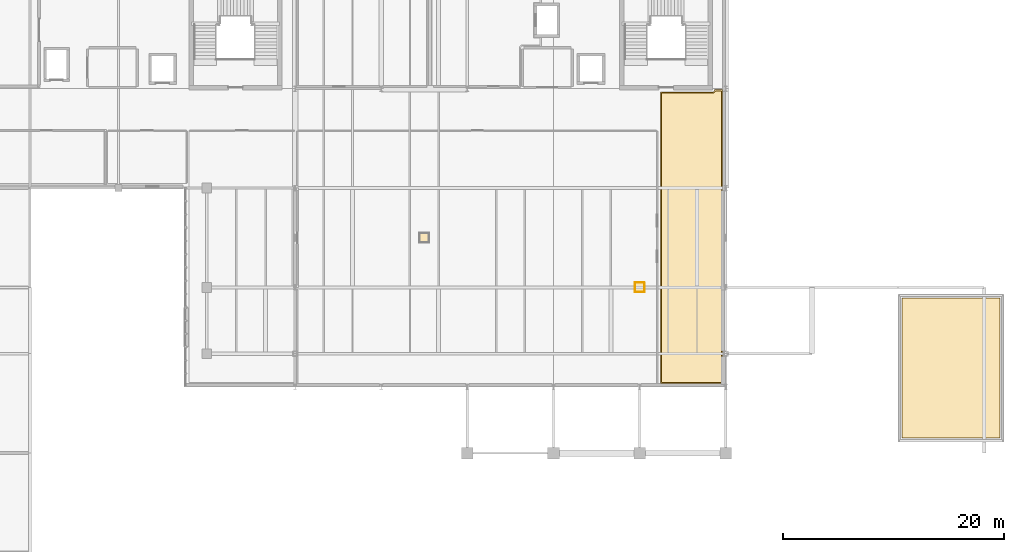
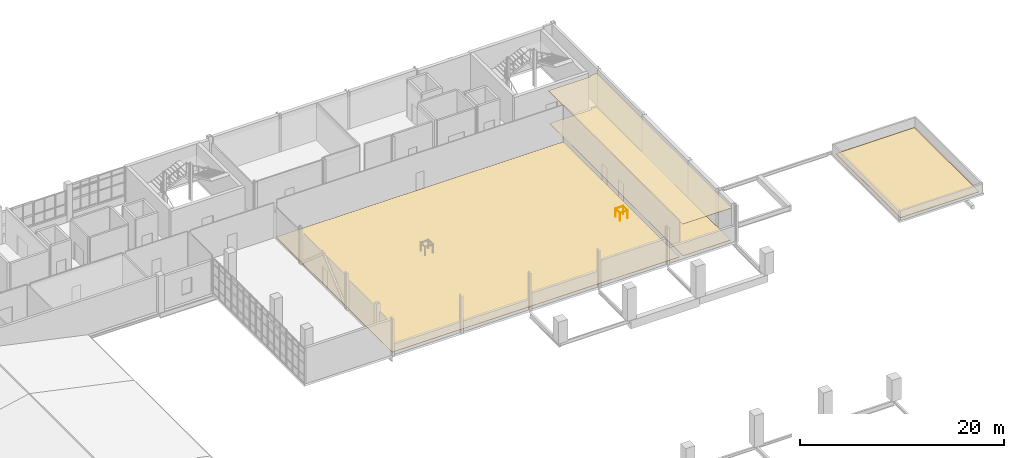
# One storey, part 37 of 38: 4 coverings, 4 railings.
"""IFC4 building model written with IfcOpenShell, lengths in metres."""

from ifc_helpers import new_model, si_unit, derived_unit, direction, frame, origin, origin_2d, place, context, subcontext, project, spatial, polyline, circle, outline, extrude, material, layer, layer_set, type_object, element, save


model = new_model("IFC4")

# Units and contexts
model_context = context("Model", 3, precision=1e-05, world=origin(), true_north=direction((0.0, 1.0)))
body_context = subcontext(model_context, "Body", "Model", "MODEL_VIEW")
ifc_project = project(units=[si_unit("LENGTHUNIT", "METRE"), si_unit("AREAUNIT", "SQUARE_METRE"), si_unit("VOLUMEUNIT", "CUBIC_METRE"), si_unit("PLANEANGLEUNIT", "RADIAN"), si_unit("MASSUNIT", "GRAM", prefix="KILO"), derived_unit("THERMALTRANSMITTANCEUNIT", [(si_unit("POWERUNIT", "WATT"), 1), (si_unit("LENGTHUNIT", "METRE"), -2), (si_unit("THERMODYNAMICTEMPERATUREUNIT", "KELVIN"), -1)])], contexts=[model_context])

# Site, building, storey
site_placement = place(None, origin())
site = spatial("IfcSite", under=ifc_project, at=site_placement, CompositionType="ELEMENT")
building_placement = place(site_placement, origin())
building = spatial("IfcBuilding", under=site, at=building_placement, Name="Nallur Shell Playhouse", CompositionType="ELEMENT")
storey_placement = place(building_placement, frame((0.0, 0.0, 24.300048828125)))
storey = spatial("IfcBuildingStorey", under=building, at=storey_placement, Name="L06", CompositionType="ELEMENT", Elevation=24.300048828125)

# Coverings
ifc_material_1 = material(Name="Mineral-Fibre High-NRC Suspended Ceiling Tile")
ifc_layer_1 = layer(ifc_material_1, 0.030029296875)
ifc_layer_set_1 = layer_set([ifc_layer_1], Name="Mineral-Fibre High-NRC Suspended Ceiling Tile")
covering_type_1 = type_object("IfcCoveringType", Name="CV-CEIL-AC2", PredefinedType="CEILING", material=ifc_layer_set_1)
covering_1_placement = place(storey_placement, frame((0.0, 0.0, 3.919921875)))
element("IfcCovering", 1, at=covering_1_placement, inside=storey, type_object=covering_type_1, Name="Fly Tower & Stage Smoke Extract AHU Plant suspended acoustic ceiling", PredefinedType="CEILING", context=body_context, shape_type="SweptSolid", body=[
    extrude(outline(polyline([(101.816650390625, 73.710693359375), (101.821044921875, 73.711181640625), (101.8349609375, 73.71337890625), (101.839111328125, 73.714111328125), (101.8525390625, 73.717529296875), (101.856689453125, 73.718994140625), (101.87109375, 73.723876953125), (101.875, 73.7255859375), (101.8876953125, 73.731689453125), (101.8916015625, 73.733642578125), (101.903564453125, 73.74072265625), (101.9072265625, 73.7431640625), (101.918701171875, 73.751953125), (101.92236328125, 73.7548828125), (101.932861328125, 73.76416015625), (101.935791015625, 73.76708984375), (101.9453125, 73.777587890625), (101.947998046875, 73.78125), (101.956787109375, 73.792724609375), (101.959228515625, 73.79638671875), (101.96630859375, 73.808349609375), (101.968505859375, 73.812255859375), (101.974609375, 73.824951171875), (101.976318359375, 73.829345703125), (102.005615234375, 73.909912109375), (102.7099609375, 73.909912109375), (102.7099609375, 47.2900390625), (97.090087890625, 47.2900390625), (97.090087890625, 73.7099609375), (101.798828125, 73.7099609375), (101.801025390625, 73.7099609375), (101.816650390625, 73.710693359375)])), origin(), (0.0, 0.0, 1.0), 0.030029296875),
])
ifc_material_2 = material(Name="Polished Chettinad Oxide & White Marble Terrazzo Flooring", Category="masonry")
ifc_layer_2 = layer(ifc_material_2, 0.050048828125)
ifc_layer_set_2 = layer_set([ifc_layer_2], Name="Polished Chettinad Oxide & White Marble Terrazzo Flooring")
covering_type_2 = type_object("IfcCoveringType", Name="CV-FLOR-TERRAZZO", PredefinedType="FLOORING", material=ifc_layer_set_2)
covering_2_placement = place(storey_placement, origin())
element("IfcCovering", 2, at=covering_2_placement, inside=storey, type_object=covering_type_2, Name="Fly Tower & Stage Smoke Extract AHU Plant floor finish", PredefinedType="FLOORING", context=body_context, shape_type="SweptSolid", body=[
    extrude(outline(polyline([(101.824462890625, 73.60107421875), (101.834228515625, 73.60205078125), (101.853759765625, 73.60498046875), (101.86328125, 73.606689453125), (101.88232421875, 73.611572265625), (101.8916015625, 73.614501953125), (101.91015625, 73.62109375), (101.919189453125, 73.624755859375), (101.93701171875, 73.63330078125), (101.94580078125, 73.6376953125), (101.96240234375, 73.64794921875), (101.970703125, 73.6533203125), (101.986328125, 73.6650390625), (101.993896484375, 73.67138671875), (102.008544921875, 73.6845703125), (102.015380859375, 73.69140625), (102.02880859375, 73.7060546875), (102.034912109375, 73.713623046875), (102.046630859375, 73.729248046875), (102.052001953125, 73.737548828125), (102.062255859375, 73.75439453125), (102.06689453125, 73.762939453125), (102.0751953125, 73.78076171875), (102.078857421875, 73.789794921875), (102.08251953125, 73.800048828125), (102.60009765625, 73.800048828125), (102.60009765625, 47.39990234375), (97.199951171875, 47.39990234375), (97.199951171875, 73.60009765625), (101.800048828125, 73.60009765625), (101.804931640625, 73.60009765625), (101.824462890625, 73.60107421875)])), origin(), (0.0, 0.0, 1.0), 0.050048828125),
])
ifc_material_3 = material(Name="Sprung Semi-Resilient Stage & Dance Hardwood Flooring", Category="wood")
ifc_layer_3 = layer(ifc_material_3, 0.054931640625)
ifc_layer_set_3 = layer_set([ifc_layer_3], Name="Sprung Semi-Resilient Stage & Dance Hardwood Flooring")
covering_type_3 = type_object("IfcCoveringType", Name="CV-FLOR-TIMBER", PredefinedType="FLOORING", material=ifc_layer_set_3)
covering_3_placement = place(storey_placement, origin())
element("IfcCovering", 3, at=covering_3_placement, inside=storey, type_object=covering_type_3, Name="Main Stage Walkable Steel Gridiron Deck floor finish", PredefinedType="FLOORING", context=body_context, shape_type="SweptSolid", body=[
    extrude(outline(polyline([(64.199951171875, 47.39990234375), (64.199951171875, 70.199951171875), (96.800048828125, 70.199951171875), (96.800048828125, 47.39990234375), (64.199951171875, 47.39990234375)])), origin(), (0.0, 0.0, 1.0), 0.054931640625),
])
ifc_material_4 = material(Name="TPO Reflective Waterproofing & Rigid PIR Roof Insulation")
ifc_layer_4 = layer(ifc_material_4, 0.06494140625)
ifc_layer_set_4 = layer_set([ifc_layer_4], Name="TPO Reflective Waterproofing & Rigid PIR Roof Insulation")
covering_type_4 = type_object("IfcCoveringType", Name="CV-ROOF-MEMB1", PredefinedType="ROOFING", material=ifc_layer_set_4)
covering_4_placement = place(storey_placement, origin())
element("IfcCovering", 4, at=covering_4_placement, inside=storey, type_object=covering_type_4, Name="L06 insulated waterproof roof covering 37", PredefinedType="ROOFING", context=body_context, shape_type="SweptSolid", body=[
    extrude(outline(polyline([(118.949951171875, 55.050048828125), (127.85009765625, 55.050048828125), (127.85009765625, 42.35009765625), (118.949951171875, 42.35009765625), (118.949951171875, 55.050048828125)])), origin(), (0.0, 0.0, 1.0), 0.06494140625),
])

# Railings
ifc_material_5 = material(Name="Brushed Stainless Steel 316 Balustrade & Toughened Infill", Category="steel")
railing_type = type_object("IfcRailingType", Name="RL-GUARD-1100", PredefinedType="BALUSTRADE", material=ifc_material_5)
railing_1_placement = place(storey_placement, frame((94.77001953125, 55.570068359375, 0.0)))
element("IfcRailing", 5, at=railing_1_placement, inside=storey, type_object=railing_type, Name="L06 service riser edge guard 111", PredefinedType="BALUSTRADE", context=body_context, shape_type="SweptSolid", body=[
    extrude(circle(Radius=0.02392578125, at=origin_2d()), frame((0.0, 0.0, 1.09619140625), z_axis=(1.0, 0.0, 0.0), x_axis=(0.0, 1.0, 0.0)), (0.0, 0.0, 1.0), 0.85986328125),
    extrude(circle(Radius=0.02099609375, at=origin_2d()), origin(), (0.0, 0.0, 1.0), 1.072021484375),
    extrude(circle(Radius=0.02099609375, at=origin_2d()), frame((0.85986328125, 0.0, 0.0)), (0.0, 0.0, 1.0), 1.072021484375),
])
railing_2_placement = place(storey_placement, frame((95.6298828125, 55.570068359375, 0.0)))
element("IfcRailing", 6, at=railing_2_placement, inside=storey, type_object=railing_type, Name="L06 service riser edge guard 112", PredefinedType="BALUSTRADE", context=body_context, shape_type="SweptSolid", body=[
    extrude(circle(Radius=0.02392578125, at=origin_2d()), frame((0.0, 0.0, 1.09619140625), z_axis=(0.0, 1.0, 0.0), x_axis=(-1.0, 0.0, 0.0)), (0.0, 0.0, 1.0), 0.85986328125),
    extrude(circle(Radius=0.02099609375, at=origin_2d()), origin(), (0.0, 0.0, 1.0), 1.072021484375),
    extrude(circle(Radius=0.02099609375, at=origin_2d()), frame((0.0, 0.85986328125, 0.0)), (0.0, 0.0, 1.0), 1.072021484375),
])
railing_3_placement = place(storey_placement, frame((95.6298828125, 56.429931640625, 0.0)))
element("IfcRailing", 7, at=railing_3_placement, inside=storey, type_object=railing_type, Name="L06 service riser edge guard 113", PredefinedType="BALUSTRADE", context=body_context, shape_type="SweptSolid", body=[
    extrude(circle(Radius=0.02392578125, at=origin_2d()), frame((0.0, 0.0, 1.09619140625), z_axis=(-1.0, 0.0, 0.0), x_axis=(0.0, -1.0, 0.0)), (0.0, 0.0, 1.0), 0.85986328125),
    extrude(circle(Radius=0.02099609375, at=origin_2d()), origin(), (0.0, 0.0, 1.0), 1.072021484375),
    extrude(circle(Radius=0.02099609375, at=origin_2d()), frame((-0.85986328125, 0.0, 0.0)), (0.0, 0.0, 1.0), 1.072021484375),
])
railing_4_placement = place(storey_placement, frame((94.77001953125, 56.429931640625, 0.0)))
element("IfcRailing", 8, at=railing_4_placement, inside=storey, type_object=railing_type, Name="L06 service riser edge guard 114", PredefinedType="BALUSTRADE", context=body_context, shape_type="SweptSolid", body=[
    extrude(circle(Radius=0.02392578125, at=origin_2d()), frame((0.0, 0.0, 1.09619140625), z_axis=(0.0, -1.0, 0.0), x_axis=(1.0, 0.0, 0.0)), (0.0, 0.0, 1.0), 0.85986328125),
    extrude(circle(Radius=0.02099609375, at=origin_2d()), origin(), (0.0, 0.0, 1.0), 1.072021484375),
    extrude(circle(Radius=0.02099609375, at=origin_2d()), frame((0.0, -0.85986328125, 0.0)), (0.0, 0.0, 1.0), 1.072021484375),
])

save(model, "model.ifc")
